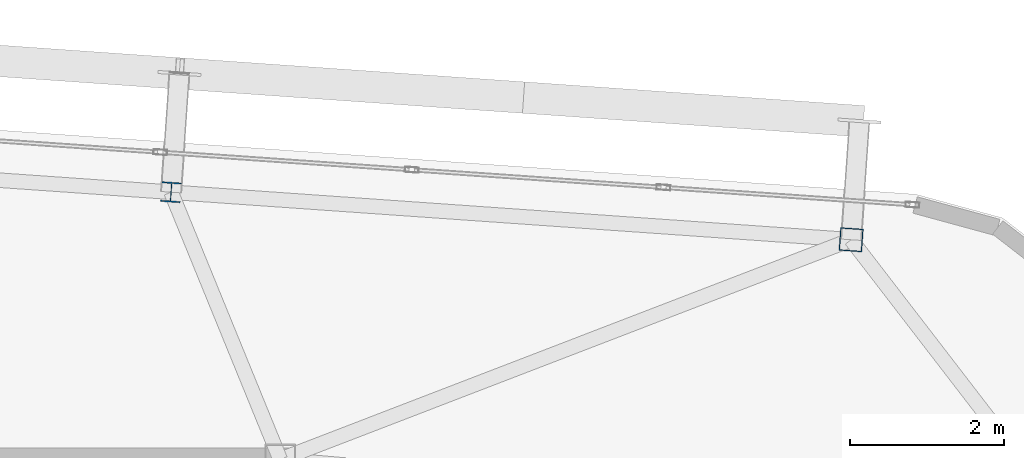
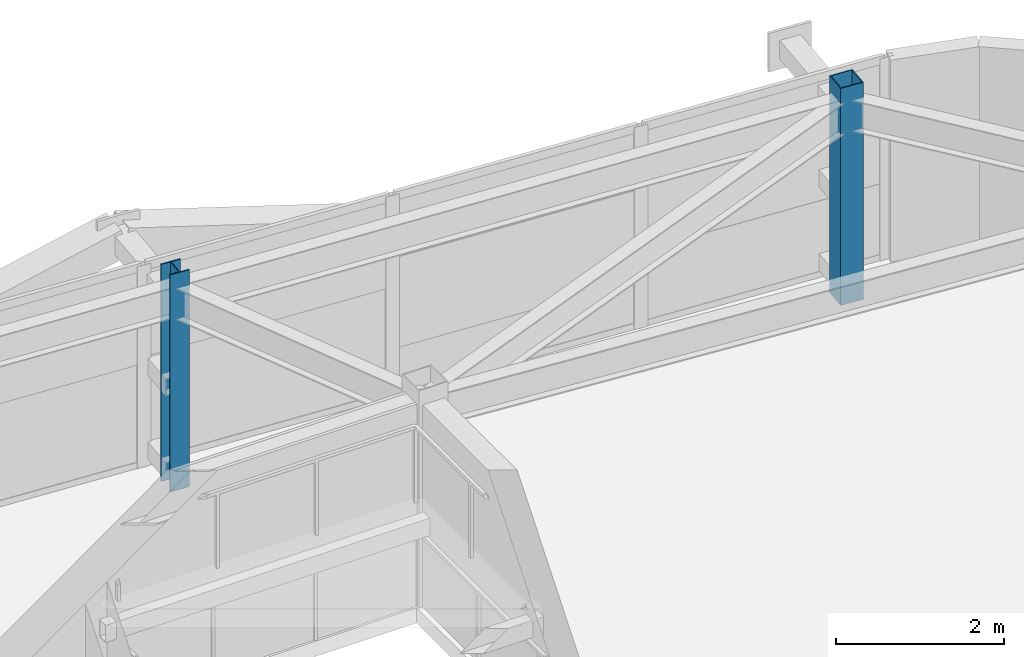
# One storey, part 5 of 47: 2 columns.
"""IFC4 building model written with IfcOpenShell, lengths in metres."""

from ifc_helpers import new_model, si_unit, direction, frame, origin, origin_2d, place, context, subcontext, project, spatial, hollow_rectangle, i_section, extrude, source, transform, mapped, material, material_profile, profile_set, type_object, element, save


model = new_model("IFC4")

# Units and contexts
model_context = context("Model", 3, precision=1e-05, world=origin(), true_north=direction((0.0, 1.0)))
body_context = subcontext(model_context, "Body", "Model", "MODEL_VIEW")
ifc_project = project(units=[si_unit("LENGTHUNIT", "METRE"), si_unit("AREAUNIT", "SQUARE_METRE"), si_unit("VOLUMEUNIT", "CUBIC_METRE"), si_unit("PLANEANGLEUNIT", "RADIAN"), si_unit("MASSUNIT", "GRAM", prefix="KILO")], contexts=[model_context])

# Site, building, storey
site_placement = place(None, origin())
site = spatial("IfcSite", under=ifc_project, at=site_placement, CompositionType="ELEMENT")
building_placement = place(site_placement, origin())
building = spatial("IfcBuilding", under=site, at=building_placement, Name="Taldren Reach Tower", CompositionType="ELEMENT")
storey_placement = place(building_placement, frame((0.0, 0.0, 142.449951171875)))
storey = spatial("IfcBuildingStorey", under=building, at=storey_placement, Name="L43", CompositionType="ELEMENT", Elevation=142.449951171875)

# Columns
ifc_material_1 = material(Name="Steel Gr 450 (C450L0)", Category="steel")
ifc_material_profile_1 = material_profile(ifc_material_1, hollow_rectangle(XDim=0.300048828125, YDim=0.300048828125, WallThickness=0.012451171875, at=origin_2d()), Name="300x300x12.5SHS")
ifc_profile_set_1 = profile_set([ifc_material_profile_1], Name="Steel Gr 450 (C450L0)")
column_type_1 = type_object("IfcColumnType", Name="COL-SHS300", PredefinedType="COLUMN", material=ifc_profile_set_1)
shared_shape_1 = source(origin(), body_context, "Body", "SweptSolid", [
    extrude(hollow_rectangle(XDim=0.300048828125, YDim=0.300048828125, WallThickness=0.012451171875, at=origin_2d()), origin(), (0.0, 0.0, 1.0), 3.150146484375),
])
column_1_placement = place(storey_placement, frame((58.4365234375, 34.861572265625, 0.0), z_axis=(0.0, 0.0, 1.0), x_axis=(0.99756405026, -0.069756473744, 0.0)))
element("IfcColumn", 1, at=column_1_placement, inside=storey, type_object=column_type_1, Name="Block B3 perimeter column N6 L43", PredefinedType="COLUMN", context=body_context, shape_type="MappedRepresentation", body=[
    mapped(shared_shape_1, transform((0.0, 0.0, 0.0), scale=1.0)),
])
ifc_material_2 = material(Name="Steel Gr 350 (350PLUS)", Category="steel")
ifc_material_profile_2 = material_profile(ifc_material_2, i_section(OverallWidth=0.256103515625, OverallDepth=0.260009765625, WebThickness=0.010498046875, FlangeThickness=0.017333984375, at=origin_2d()), Name="250UC89.5")
ifc_profile_set_2 = profile_set([ifc_material_profile_2], Name="Steel Gr 350 (350PLUS)")
column_type_2 = type_object("IfcColumnType", Name="COL-UC250", PredefinedType="COLUMN", material=ifc_profile_set_2)
shared_shape_2 = source(origin(), body_context, "Body", "SweptSolid", [
    extrude(i_section(OverallWidth=0.256103515625, OverallDepth=0.260009765625, WebThickness=0.010498046875, FlangeThickness=0.017333984375, at=origin_2d()), origin(), (0.0, 0.0, 1.0), 3.150146484375),
])
column_2_placement = place(storey_placement, frame((49.578125, 35.48095703125, 0.0), z_axis=(0.0, 0.0, 1.0), x_axis=(0.99756405026, -0.069756473744, 0.0)))
element("IfcColumn", 2, at=column_2_placement, inside=storey, type_object=column_type_2, Name="Block B3 perimeter column N5 L43", PredefinedType="COLUMN", context=body_context, shape_type="MappedRepresentation", body=[
    mapped(shared_shape_2, transform((0.0, 0.0, 0.0), scale=1.0)),
])

save(model, "model.ifc")
